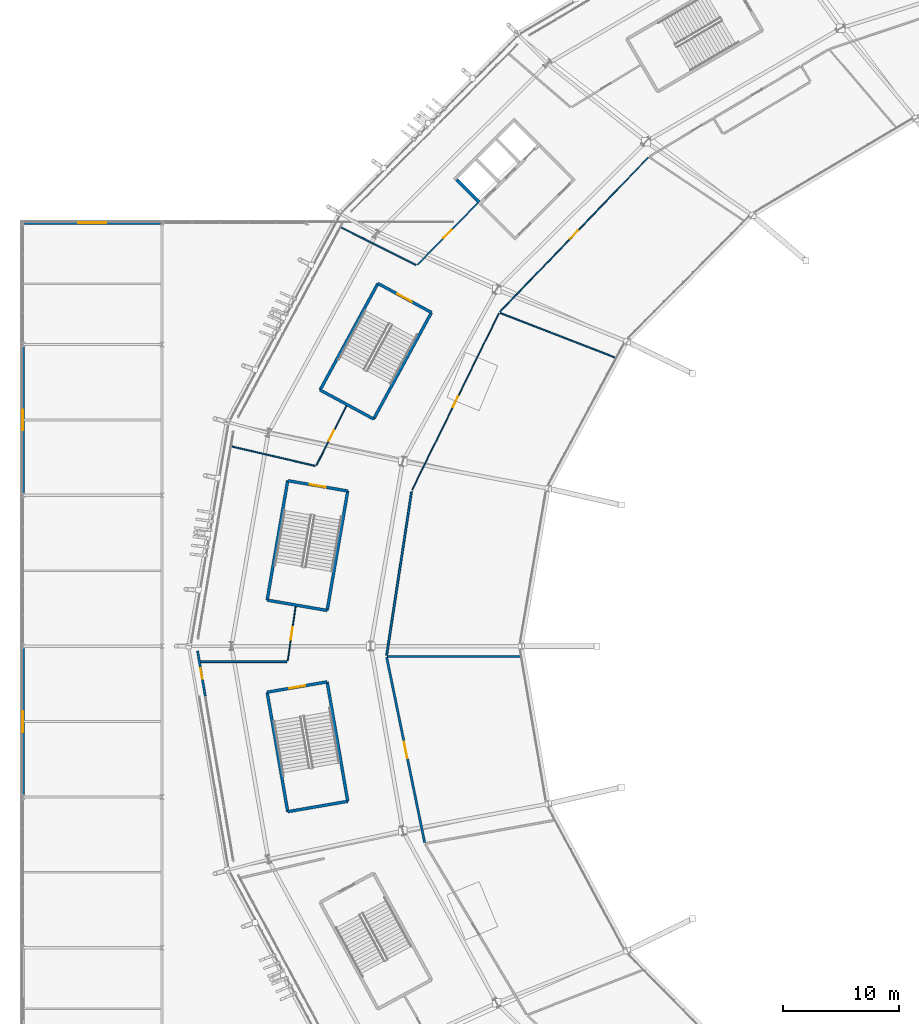
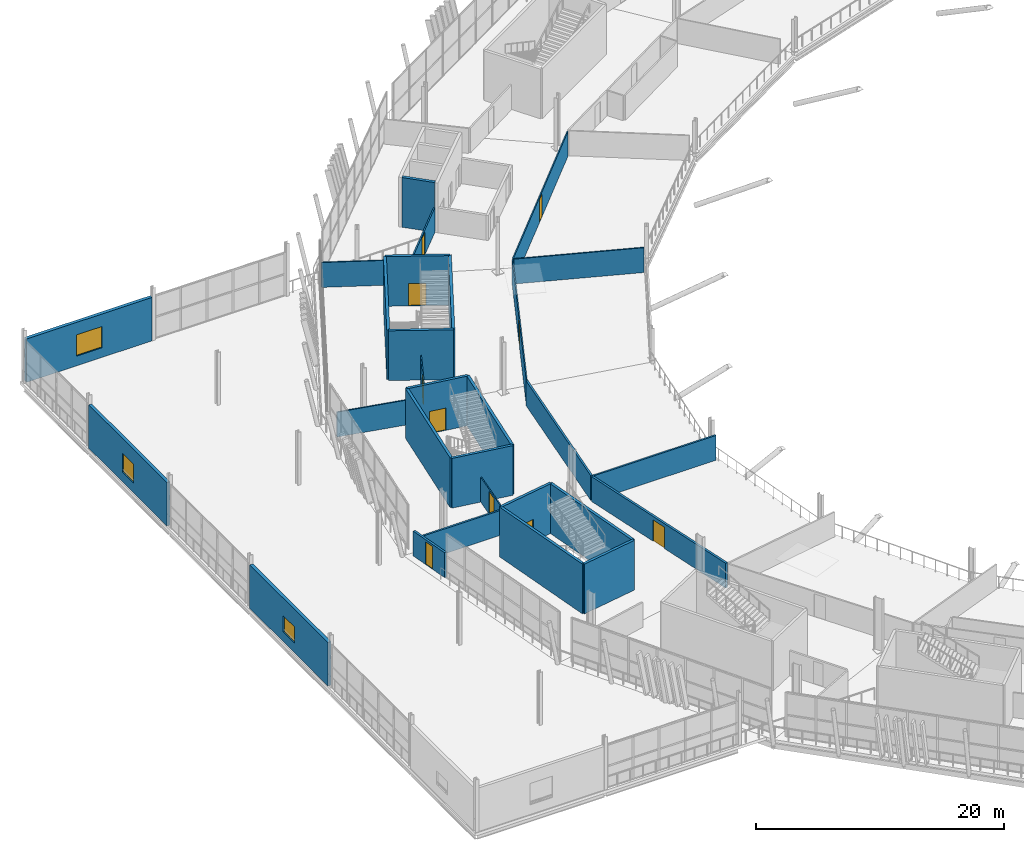
# One storey, part 119 of 168: 29 walls, 10 doors, 3 windows, 13 openings.
"""IFC4 building model written with IfcOpenShell, lengths in metres."""

import ifcopenshell
import ifcopenshell.guid

model = None  # the IFC model being written
_history = None  # IfcOwnerHistory: only IFC2X3 demands one
_inside = {}  # id of a spatial element -> (the spatial element, [elements in it])
_under = {}  # id of a project, library or spatial element -> (it, [spatial elements below it])
_declared = {}  # id of a project -> (the project, [libraries it declares])
_typed = {}  # id of a type object -> (the type object, [elements of that type])
_made_of = {}  # id of a material, layer set ... -> (it, [elements and type objects made of it])


def new_model(schema):
    """Start an empty IFC model of exactly this schema.

    Asked for "IFC4X3", IfcOpenShell would pick the latest addendum, in which some entities
    have other attributes; the version numbers below select the first issue.
    IFC2X3 requires an IfcOwnerHistory on every rooted entity: one is made here for all.
    """
    global model, _history
    if schema == "IFC4X3":
        model = ifcopenshell.file(schema_version=(4, 3, 0, 0))
    else:
        model = ifcopenshell.file(schema=schema)
    _inside.clear()
    _under.clear()
    _declared.clear()
    _typed.clear()
    _made_of.clear()
    _history = None
    if model.schema == "IFC2X3":
        org = make("IfcOrganization", Name="unknown")
        user = make(
            "IfcPersonAndOrganization",
            ThePerson=make("IfcPerson", FamilyName="unknown"),
            TheOrganization=org,
        )
        app = make(
            "IfcApplication",
            ApplicationDeveloper=org,
            Version="unknown",
            ApplicationFullName="unknown",
            ApplicationIdentifier="unknown",
        )
        _history = make(
            "IfcOwnerHistory",
            OwningUser=user,
            OwningApplication=app,
            ChangeAction="ADDED",
            CreationDate=0,
        )
    return model


def make(cls, **values):
    """One entity of the class cls with the attributes given. An attribute that is None is left unset."""
    return model.create_entity(
        cls, **{name: value for name, value in values.items() if value is not None}
    )


def rooted(cls, **values):
    """An entity with a GlobalId (a new one), such as an element, a storey or a relation."""
    return make(cls, GlobalId=ifcopenshell.guid.new(), OwnerHistory=_history, **values)


def si_unit(unit_type, name, prefix=None):
    """IfcSIUnit, for example si_unit("LENGTHUNIT", "METRE", prefix="MILLI")."""
    return make("IfcSIUnit", UnitType=unit_type, Prefix=prefix, Name=name)


def assignment(units):
    """IfcUnitAssignment: the units of a project."""
    return None if units is None else make("IfcUnitAssignment", Units=units)


def point(xyz):
    """IfcCartesianPoint."""
    return None if xyz is None else make("IfcCartesianPoint", Coordinates=xyz)


def direction(xyz):
    """IfcDirection."""
    return None if xyz is None else make("IfcDirection", DirectionRatios=xyz)


def frame(location, z_axis=None, x_axis=None):
    """IfcAxis2Placement3D, a coordinate frame: its origin and axes. An axis left out is left unset."""
    return make(
        "IfcAxis2Placement3D",
        Location=point(location),
        Axis=direction(z_axis),
        RefDirection=direction(x_axis),
    )


def frame_2d(location, x_axis=None):
    """IfcAxis2Placement2D, a coordinate frame in the plane: its origin and x axis."""
    return make(
        "IfcAxis2Placement2D", Location=point(location), RefDirection=direction(x_axis)
    )


def origin():
    """The frame at (0, 0, 0) with its axes left unset."""
    return frame((0.0, 0.0, 0.0))


def place(relative_to, where):
    """IfcLocalPlacement: puts the frame where relative to a parent placement (None: the world)."""
    return make(
        "IfcLocalPlacement", PlacementRelTo=relative_to, RelativePlacement=where
    )


def context(
    kind, dimensions, precision=None, world=None, true_north=None, identifier=None
):
    """IfcGeometricRepresentationContext, for example the 3D "Model" context."""
    return make(
        "IfcGeometricRepresentationContext",
        ContextIdentifier=identifier,
        ContextType=kind,
        CoordinateSpaceDimension=dimensions,
        Precision=precision,
        WorldCoordinateSystem=world,
        TrueNorth=true_north,
    )


def subcontext(parent, identifier, kind, view, scale=None):
    """IfcGeometricRepresentationSubContext, for example "Body" below "Model"."""
    return make(
        "IfcGeometricRepresentationSubContext",
        ContextIdentifier=identifier,
        ContextType=kind,
        ParentContext=parent,
        TargetScale=scale,
        TargetView=view,
    )


def project(units=None, contexts=None):
    """IfcProject with its units and contexts."""
    return rooted(
        "IfcProject",
        Name="project",
        RepresentationContexts=contexts,
        UnitsInContext=assignment(units),
    )


def spatial(cls, under=None, at=None, **own):
    """A site, building, storey or space (cls), placed at a placement, below another one or the project."""
    s = rooted(cls, ObjectPlacement=at, **own)
    if under is not None:
        _under.setdefault(under.id(), (under, []))[1].append(s)
    return s


def profile(cls, at=None, kind="AREA", **sizes):
    """A parametric profile (cls). Its sizes go by their IFC names, for example OverallWidth=200.0."""
    return make(cls, ProfileType=kind, Position=at, **sizes)


def rectangle(**sizes):
    """IfcRectangleProfileDef."""
    return profile("IfcRectangleProfileDef", **sizes)


def extrude(swept, where, along, depth):
    """IfcExtrudedAreaSolid: the profile swept, set in the frame where, extruded along a direction by depth."""
    return make(
        "IfcExtrudedAreaSolid",
        SweptArea=swept,
        Position=where,
        ExtrudedDirection=direction(along),
        Depth=depth,
    )


def shape(context_of_items, identifier, shape_type, items):
    """IfcShapeRepresentation: the items that make up one representation, for example the "Body"."""
    return make(
        "IfcShapeRepresentation",
        ContextOfItems=context_of_items,
        RepresentationIdentifier=identifier,
        RepresentationType=shape_type,
        Items=items,
    )


def material(Name=None, Category=None):
    """IfcMaterial."""
    return make("IfcMaterial", Name=Name, Category=Category)


def layer(
    of_material, thickness, ventilated=None, Name=None, Category=None, Priority=None
):
    """IfcMaterialLayer: one layer of a wall or slab, of a material (None: an air gap)."""
    return make(
        "IfcMaterialLayer",
        Material=of_material,
        LayerThickness=thickness,
        IsVentilated=ventilated,
        Name=Name,
        Category=Category,
        Priority=Priority,
    )


def layer_set(layers, Name=None):
    """IfcMaterialLayerSet."""
    return make("IfcMaterialLayerSet", MaterialLayers=layers, LayerSetName=Name)


def made_of(thing, what):
    """Note that an element or type object is made of a material, layer set ...; save() writes the relation."""
    if what is not None:
        _made_of.setdefault(what.id(), (what, []))[1].append(thing)
    return thing


def type_object(cls, material=None, **own):
    """A type object (cls), such as IfcWallType, which elements share."""
    return made_of(rooted(cls, **own), material)


def element(
    cls,
    number,
    at=None,
    inside=None,
    cuts=None,
    type_object=None,
    material=None,
    context=None,
    identifier="Body",
    shape_type=None,
    held_by="IfcProductDefinitionShape",
    body=None,
    shapes=None,
    **own,
):
    """One element of the class cls, such as IfcWall. Its Tag is "e" and its number.

    at: its placement. inside: the storey or other place that contains it. cuts: it is an
    opening in that element (IfcRelVoidsElement). A single representation is given by context,
    identifier, shape_type and body (its items); several are given by shapes. held_by: the class
    of the entity that holds the representations. save() writes the other relations.
    """
    e = rooted(cls, Tag="e%d" % number, ObjectPlacement=at, **own)
    if body is not None:
        shapes = [shape(context, identifier, shape_type, body)]
    if shapes is not None:
        e.Representation = make(held_by, Representations=shapes)
    if inside is not None:
        _inside.setdefault(inside.id(), (inside, []))[1].append(e)
    if cuts is not None:
        rooted(
            "IfcRelVoidsElement", RelatingBuildingElement=cuts, RelatedOpeningElement=e
        )
    if type_object is not None:
        _typed.setdefault(type_object.id(), (type_object, []))[1].append(e)
    return made_of(e, material)


def fill(opening, filler):
    """IfcRelFillsElement: the door or window that sits in an opening."""
    return rooted(
        "IfcRelFillsElement",
        RelatingOpeningElement=opening,
        RelatedBuildingElement=filler,
    )


def aggregate(whole, parts):
    """IfcRelAggregates: a whole, such as a stair, and the parts it consists of."""
    return rooted("IfcRelAggregates", RelatingObject=whole, RelatedObjects=parts)


def save(model, path):
    """Write the relations noted so far, then the file.

    IfcRelAggregates (storeys below a building ...), IfcRelContainedInSpatialStructure (elements
    in a storey), IfcRelDefinesByType, IfcRelAssociatesMaterial and IfcRelDeclares: one each for
    every whole, place, type object, material and project.
    """
    for whole, parts in _under.values():
        aggregate(whole, parts)
    for where, things in _inside.values():
        rooted(
            "IfcRelContainedInSpatialStructure",
            RelatedElements=things,
            RelatingStructure=where,
        )
    for kind, things in _typed.values():
        rooted("IfcRelDefinesByType", RelatedObjects=things, RelatingType=kind)
    for what, things in _made_of.values():
        rooted("IfcRelAssociatesMaterial", RelatedObjects=things, RelatingMaterial=what)
    for by, libraries in _declared.values():
        rooted("IfcRelDeclares", RelatingContext=by, RelatedDefinitions=libraries)
    model.write(path)


model = new_model("IFC4")

# Units and contexts
model_context = context("Model", 3, precision=1e-05, world=origin(), true_north=direction((0.0, 1.0)))
body_context = subcontext(model_context, "Body", "Model", "MODEL_VIEW")
ifc_project = project(units=[si_unit("LENGTHUNIT", "METRE"), si_unit("AREAUNIT", "SQUARE_METRE"), si_unit("VOLUMEUNIT", "CUBIC_METRE"), si_unit("PLANEANGLEUNIT", "RADIAN"), si_unit("MASSUNIT", "GRAM", prefix="KILO")], contexts=[model_context])

# Site, building, storey
site_placement = place(None, origin())
site = spatial("IfcSite", under=ifc_project, at=site_placement, CompositionType="ELEMENT")
building_placement = place(site_placement, origin())
building = spatial("IfcBuilding", under=site, at=building_placement, Name="Zlatoyarsky Gate Stadium", CompositionType="ELEMENT")
storey_placement = place(building_placement, frame((0.0, 0.0, 15.60009765625)))
storey = spatial("IfcBuildingStorey", under=building, at=storey_placement, Name="L03", CompositionType="ELEMENT", Elevation=15.60009765625)

# Walls
ifc_material_1 = material(Name="Double-stud acoustic gypsum partition", Category="gypsum")
ifc_layer_1 = layer(ifc_material_1, 0.169921875)
ifc_layer_set_1 = layer_set([ifc_layer_1], Name="Double-stud acoustic gypsum partition")
wall_type_1 = type_object("IfcWallType", Name="ACOUSTIC BROADCAST STUDIO WALL 170", PredefinedType="PARTITIONING", material=ifc_layer_set_1)
wall_1_placement = place(storey_placement, frame((33.5126953125, 93.30859375, 0.0), z_axis=(0.0, 0.0, 1.0), x_axis=(-0.150347507433, -0.988633211565, 0.0)))
element("IfcWall", 1, at=wall_1_placement, inside=storey, type_object=wall_type_1, Name="L03 interior partition PRT-L03-ICC-11M", PredefinedType="PARTITIONING", context=body_context, shape_type="SweptSolid", body=[
    extrude(rectangle(XDim=14.273681640625, YDim=0.169921875, at=frame_2d((7.13671875, 0.0))), origin(), (0.0, 0.0, 1.0), 2.449951171875),
])
wall_2_placement = place(storey_placement, frame((22.74462890625, 78.669677734375, 0.0), z_axis=(0.0, 0.0, 1.0), x_axis=(-0.999999997843, -6.5677131e-05, 0.0)))
element("IfcWall", 2, at=wall_2_placement, inside=storey, type_object=wall_type_1, Name="L03 interior partition PRT-L03-ORD-11R", PredefinedType="PARTITIONING", context=body_context, shape_type="SweptSolid", body=[
    extrude(rectangle(XDim=7.4345703125, YDim=0.169921875, at=frame_2d((3.71728515625, 0.0))), origin(), (0.0, 0.0, 1.0), 2.449951171875),
])
ifc_material_2 = material(Name="Anodised aluminium acoustic operable wall", Category="aluminium")
ifc_layer_2 = layer(ifc_material_2, 0.114990234375)
ifc_layer_set_2 = layer_set([ifc_layer_2], Name="Anodised aluminium acoustic operable wall")
wall_type_2 = type_object("IfcWallType", Name="ACOUSTIC OPERABLE SUITE WALL 115", PredefinedType="MOVABLE", material=ifc_layer_set_2)
wall_3_placement = place(storey_placement, frame((51.072021484375, 104.87255859375, 0.0), z_axis=(0.0, 0.0, 1.0), x_axis=(-0.932061072791, 0.36230119595, 0.0)))
element("IfcWall", 3, at=wall_3_placement, inside=storey, type_object=wall_type_2, Name="L03 interior partition PRT-L03-IRD-10", PredefinedType="MOVABLE", context=body_context, shape_type="SweptSolid", body=[
    extrude(rectangle(XDim=10.6396484375, YDim=0.114990234375, at=frame_2d((5.31982421875, 0.0))), origin(), (0.0, 0.0, 1.0), 2.449951171875),
])
wall_4_placement = place(storey_placement, frame((25.197509765625, 95.5419921875, 0.0), z_axis=(0.0, 0.0, 1.0), x_axis=(-0.973969408775, 0.22667948908, 0.0)))
element("IfcWall", 4, at=wall_4_placement, inside=storey, type_object=wall_type_2, Name="L03 interior partition PRT-L03-ORD-10R", PredefinedType="MOVABLE", context=body_context, shape_type="SweptSolid", body=[
    extrude(rectangle(XDim=7.36572265625, YDim=0.114990234375, at=frame_2d((3.682861328125, 0.0))), origin(), (0.0, 0.0, 1.0), 2.449951171875),
])

# Wall, opening, door
ifc_material_3 = material(Name="Gypsum-clad mineral wool fire partition", Category="gypsum")
ifc_layer_3 = layer(ifc_material_3, 0.199951171875)
ifc_layer_set_3 = layer_set([ifc_layer_3], Name="Gypsum-clad mineral wool fire partition")
wall_type_3 = type_object("IfcWallType", Name="COMPARTMENT FIRE PARTITION WALL 200", PredefinedType="PARTITIONING", material=ifc_layer_set_3)
wall_5_placement = place(storey_placement, frame((31.37109375, 79.030029296875, 0.0), z_axis=(0.0, 0.0, 1.0), x_axis=(0.200895858008, -0.979612604163, 0.0)))
wall_5 = element("IfcWall", 5, at=wall_5_placement, inside=storey, type_object=wall_type_3, Name="L03 interior partition PRT-L03-ICC-12", PredefinedType="PARTITIONING", context=body_context, shape_type="SweptSolid", body=[
    extrude(rectangle(XDim=16.2978515625, YDim=0.199951171875, at=frame_2d((8.14892578125, 0.0))), origin(), (0.0, 0.0, 1.0), 2.449951171875),
])
opening_1_placement = place(wall_5_placement, frame((7.428955078125, 0.0, 0.0)))
opening_1 = element("IfcOpeningElement", 6, at=opening_1_placement, cuts=wall_5, Name="Opening D-L03-422", PredefinedType="OPENING", context=body_context, shape_type="SweptSolid", body=[
    extrude(rectangle(XDim=1.43994140625, YDim=2.10009765625, at=frame_2d((0.719970703125, 1.050048828125))), frame((0.0, 0.10986328125, 0.0), z_axis=(0.0, -1.0, 0.0), x_axis=(1.0, 0.0, 0.0)), (0.0, 0.0, 1.0), 0.219970703125),
])
ifc_material_4 = material(Name="Powder-coated steel fire door", Category="steel")
door_type_1 = type_object("IfcDoorType", Name="ACOUSTIC INTERIOR DOOR 1440X2100", OperationType="NOTDEFINED", PredefinedType="DOOR", material=ifc_material_4)
door_1_placement = place(opening_1_placement, origin())
door_1 = element("IfcDoor", 7, at=door_1_placement, inside=storey, type_object=door_type_1, Name="L03 room door D-L03-422", OperationType="SINGLE_SWING_RIGHT", OverallHeight=2.10009765625, OverallWidth=1.43994140625, PredefinedType="DOOR", context=body_context, shape_type="SweptSolid", body=[
    extrude(rectangle(XDim=1.43994140625, YDim=2.10009765625, at=frame_2d((0.719970703125, 1.050048828125))), frame((0.0, 0.02490234375, 0.0), z_axis=(0.0, -1.0, 0.0), x_axis=(1.0, 0.0, 0.0)), (0.0, 0.0, 1.0), 0.050048828125),
])
fill(opening_1, door_1)

wall_6_placement = place(storey_placement, frame((15.06591796875, 79.600830078125, 0.0), z_axis=(0.0, 0.0, 1.0), x_axis=(0.16836659398, -0.985724449342, 0.0)))
wall_6 = element("IfcWall", 8, at=wall_6_placement, inside=storey, type_object=wall_type_3, Name="L03 interior partition PRT-PORTAL-L03-12", PredefinedType="PARTITIONING", context=body_context, shape_type="SweptSolid", body=[
    extrude(rectangle(XDim=3.960205078125, YDim=0.199951171875, at=frame_2d((1.97998046875, 0.0))), origin(), (0.0, 0.0, 1.0), 2.449951171875),
])
opening_2_placement = place(wall_6_placement, frame((1.530029296875, 0.0, 0.0)))
opening_2 = element("IfcOpeningElement", 9, at=opening_2_placement, cuts=wall_6, Name="Opening D-L03-719", PredefinedType="OPENING", context=body_context, shape_type="SweptSolid", body=[
    extrude(rectangle(XDim=0.89990234375, YDim=2.239990234375, at=frame_2d((0.449951171875, 1.1201171875))), frame((0.0, 0.10986328125, 0.0), z_axis=(0.0, -1.0, 0.0), x_axis=(1.0, 0.0, 0.0)), (0.0, 0.0, 1.0), 0.219970703125),
])
door_type_2 = type_object("IfcDoorType", Name="ACOUSTIC INTERIOR DOOR 900X2240", OperationType="NOTDEFINED", PredefinedType="DOOR", material=ifc_material_4)
door_2_placement = place(opening_2_placement, origin())
door_2 = element("IfcDoor", 10, at=door_2_placement, inside=storey, type_object=door_type_2, Name="L03 room door D-L03-719", OperationType="SINGLE_SWING_LEFT", OverallHeight=2.239990234375, OverallWidth=0.89990234375, PredefinedType="DOOR", context=body_context, shape_type="SweptSolid", body=[
    extrude(rectangle(XDim=0.89990234375, YDim=2.239990234375, at=frame_2d((0.449951171875, 1.1201171875))), frame((0.0, 0.02490234375, 0.0), z_axis=(0.0, -1.0, 0.0), x_axis=(1.0, 0.0, 0.0)), (0.0, 0.0, 1.0), 0.050048828125),
])
fill(opening_2, door_2)

# Wall
ifc_material_5 = material(Name="Concrete C40/50", Category="concrete")
ifc_layer_4 = layer(ifc_material_5, 0.27001953125)
ifc_layer_set_4 = layer_set([ifc_layer_4], Name="Concrete C40/50")
wall_type_4 = type_object("IfcWallType", Name="CONCRETE LIFT SHAFT SHEAR WALL 270", PredefinedType="SHEAR", material=ifc_layer_set_4)
wall_7_placement = place(storey_placement, frame((37.405029296875, 120.216796875, 0.0), z_axis=(0.0, 0.0, 1.0), x_axis=(0.705322518225, -0.708886553183, 0.0)))
element("IfcWall", 11, at=wall_7_placement, inside=storey, type_object=wall_type_4, Name="C2 L03 lift shaft right wall", PredefinedType="SHEAR", context=body_context, shape_type="SweptSolid", body=[
    extrude(rectangle(XDim=2.739990234375, YDim=0.27001953125, at=frame_2d((1.3701171875, 0.0))), origin(), (0.0, 0.0, 1.0), 4.89990234375),
])

# Wall, opening, door
ifc_layer_5 = layer(ifc_material_5, 0.25)
ifc_layer_set_5 = layer_set([ifc_layer_5], Name="Concrete C40/50")
wall_type_5 = type_object("IfcWallType", Name="CONCRETE STAIR CORE SHEAR WALL 250", PredefinedType="SHEAR", material=ifc_layer_set_5)
wall_8_placement = place(storey_placement, frame((35.229736328125, 108.764892578125, 0.0), z_axis=(0.0, 0.0, 1.0), x_axis=(-0.878941993928, 0.476928685769, 0.0)))
wall_8 = element("IfcWall", 12, at=wall_8_placement, inside=storey, type_object=wall_type_5, Name="ST-06 L03 stair core entrance shear wall", PredefinedType="SHEAR", context=body_context, shape_type="SweptSolid", body=[
    extrude(rectangle(XDim=5.25, YDim=0.25, at=frame_2d((2.625, 0.0))), origin(), (0.0, 0.0, 1.0), 4.89990234375),
])
opening_3_placement = place(wall_8_placement, frame((1.925048828125, 0.0, 0.0)))
opening_3 = element("IfcOpeningElement", 13, at=opening_3_placement, cuts=wall_8, Name="Opening SD-ST-06-L03", PredefinedType="OPENING", context=body_context, shape_type="SweptSolid", body=[
    extrude(rectangle(XDim=1.39990234375, YDim=2.199951171875, at=frame_2d((0.699951171875, 1.10009765625))), frame((0.0, 0.135009765625, 0.0), z_axis=(0.0, -1.0, 0.0), x_axis=(1.0, 0.0, 0.0)), (0.0, 0.0, 1.0), 0.27001953125),
])
door_type_3 = type_object("IfcDoorType", Name="STAIR CORE FIRE EXIT DOOR 1400X2200", OperationType="NOTDEFINED", PredefinedType="DOOR", material=ifc_material_4)
door_3_placement = place(opening_3_placement, frame((1.39990234375, 0.0, 0.0), z_axis=(0.0, 0.0, 1.0), x_axis=(-1.0, 0.0, 0.0)))
door_3 = element("IfcDoor", 14, at=door_3_placement, inside=storey, type_object=door_type_3, Name="ST-06 L03 stair fire door", OperationType="SINGLE_SWING_RIGHT", OverallHeight=2.199951171875, OverallWidth=1.39990234375, PredefinedType="DOOR", context=body_context, shape_type="SweptSolid", body=[
    extrude(rectangle(XDim=1.39990234375, YDim=2.199951171875, at=frame_2d((0.699951171875, 1.10009765625))), frame((0.0, 0.02490234375, 0.0), z_axis=(0.0, -1.0, 0.0), x_axis=(1.0, 0.0, 0.0)), (0.0, 0.0, 1.0), 0.050048828125),
])
fill(opening_3, door_3)

# Walls
wall_9_placement = place(storey_placement, frame((30.615234375, 111.268798828125, 0.0), z_axis=(0.0, 0.0, 1.0), x_axis=(-0.476876856974, -0.878970115125, 0.0)))
element("IfcWall", 15, at=wall_9_placement, inside=storey, type_object=wall_type_5, Name="ST-06 L03 stair core left shear wall", PredefinedType="SHEAR", context=body_context, shape_type="SweptSolid", body=[
    extrude(rectangle(XDim=10.4501953125, YDim=0.25, at=frame_2d((5.22509765625, 0.0))), origin(), (0.0, 0.0, 1.0), 4.89990234375),
])
wall_10_placement = place(storey_placement, frame((25.6318359375, 102.08349609375, 0.0), z_axis=(0.0, 0.0, 1.0), x_axis=(0.878961487093, -0.47689275965, 0.0)))
element("IfcWall", 16, at=wall_10_placement, inside=storey, type_object=wall_type_5, Name="ST-06 L03 stair core far shear wall", PredefinedType="SHEAR", context=body_context, shape_type="SweptSolid", body=[
    extrude(rectangle(XDim=5.25, YDim=0.25, at=frame_2d((2.625, 0.0))), origin(), (0.0, 0.0, 1.0), 4.89990234375),
])
wall_11_placement = place(storey_placement, frame((30.246337890625, 99.579833984375, 0.0), z_axis=(0.0, 0.0, 1.0), x_axis=(0.476886649814, 0.878964802042, 0.0)))
element("IfcWall", 17, at=wall_11_placement, inside=storey, type_object=wall_type_5, Name="ST-06 L03 stair core right shear wall", PredefinedType="SHEAR", context=body_context, shape_type="SweptSolid", body=[
    extrude(rectangle(XDim=10.449951171875, YDim=0.25, at=frame_2d((5.22509765625, 0.0))), origin(), (0.0, 0.0, 1.0), 4.89990234375),
])

# Wall, opening, door
wall_12_placement = place(storey_placement, frame((26.237548828125, 76.92333984375, 0.0), z_axis=(0.0, 0.0, 1.0), x_axis=(-0.985457162135, -0.16992404655, 0.0)))
wall_12 = element("IfcWall", 18, at=wall_12_placement, inside=storey, type_object=wall_type_5, Name="ST-07 L03 stair core entrance shear wall", PredefinedType="SHEAR", context=body_context, shape_type="SweptSolid", body=[
    extrude(rectangle(XDim=5.25, YDim=0.25, at=frame_2d((2.625, 0.0))), origin(), (0.0, 0.0, 1.0), 4.89990234375),
])
opening_4_placement = place(wall_12_placement, frame((1.925048828125, 0.0, 0.0)))
opening_4 = element("IfcOpeningElement", 19, at=opening_4_placement, cuts=wall_12, Name="Opening SD-ST-07-L03", PredefinedType="OPENING", context=body_context, shape_type="SweptSolid", body=[
    extrude(rectangle(XDim=1.39990234375, YDim=2.199951171875, at=frame_2d((0.699951171875, 1.10009765625))), frame((0.0, 0.135009765625, 0.0), z_axis=(0.0, -1.0, 0.0), x_axis=(1.0, 0.0, 0.0)), (0.0, 0.0, 1.0), 0.27001953125),
])
door_4_placement = place(opening_4_placement, frame((1.39990234375, 0.0, 0.0), z_axis=(0.0, 0.0, 1.0), x_axis=(-1.0, 0.0, 0.0)))
door_4 = element("IfcDoor", 20, at=door_4_placement, inside=storey, type_object=door_type_3, Name="ST-07 L03 stair fire door", OperationType="SINGLE_SWING_LEFT", OverallHeight=2.199951171875, OverallWidth=1.39990234375, PredefinedType="DOOR", context=body_context, shape_type="SweptSolid", body=[
    extrude(rectangle(XDim=1.39990234375, YDim=2.199951171875, at=frame_2d((0.699951171875, 1.10009765625))), frame((0.0, 0.02490234375, 0.0), z_axis=(0.0, -1.0, 0.0), x_axis=(1.0, 0.0, 0.0)), (0.0, 0.0, 1.0), 0.050048828125),
])
fill(opening_4, door_4)

# Walls
wall_13_placement = place(storey_placement, frame((21.06396484375, 76.03125, 0.0), z_axis=(0.0, 0.0, 1.0), x_axis=(0.169938992676, -0.985454584833, 0.0)))
element("IfcWall", 21, at=wall_13_placement, inside=storey, type_object=wall_type_5, Name="ST-07 L03 stair core left shear wall", PredefinedType="SHEAR", context=body_context, shape_type="SweptSolid", body=[
    extrude(rectangle(XDim=10.4501953125, YDim=0.25, at=frame_2d((5.22509765625, 0.0))), origin(), (0.0, 0.0, 1.0), 4.89990234375),
])
wall_14_placement = place(storey_placement, frame((22.83984375, 65.733154296875, 0.0), z_axis=(0.0, 0.0, 1.0), x_axis=(0.985457162135, 0.16992404655, 0.0)))
element("IfcWall", 22, at=wall_14_placement, inside=storey, type_object=wall_type_5, Name="ST-07 L03 stair core far shear wall", PredefinedType="SHEAR", context=body_context, shape_type="SweptSolid", body=[
    extrude(rectangle(XDim=5.25, YDim=0.25, at=frame_2d((2.625, 0.0))), origin(), (0.0, 0.0, 1.0), 4.89990234375),
])
wall_15_placement = place(storey_placement, frame((28.013427734375, 66.625244140625, 0.0), z_axis=(0.0, 0.0, 1.0), x_axis=(-0.169938992676, 0.985454584833, 0.0)))
element("IfcWall", 23, at=wall_15_placement, inside=storey, type_object=wall_type_5, Name="ST-07 L03 stair core right shear wall", PredefinedType="SHEAR", context=body_context, shape_type="SweptSolid", body=[
    extrude(rectangle(XDim=10.4501953125, YDim=0.25, at=frame_2d((5.22509765625, 0.0))), origin(), (0.0, 0.0, 1.0), 4.89990234375),
])

# Wall, opening, door
wall_16_placement = place(storey_placement, frame((28.01318359375, 93.374755859375, 0.0), z_axis=(0.0, 0.0, 1.0), x_axis=(-0.985457162135, 0.16992404655, 0.0)))
wall_16 = element("IfcWall", 24, at=wall_16_placement, inside=storey, type_object=wall_type_5, Name="ST-18 L03 stair core entrance shear wall", PredefinedType="SHEAR", context=body_context, shape_type="SweptSolid", body=[
    extrude(rectangle(XDim=5.25, YDim=0.25, at=frame_2d((2.625, 0.0))), origin(), (0.0, 0.0, 1.0), 4.89990234375),
])
opening_5_placement = place(wall_16_placement, frame((1.925048828125, 0.0, 0.0)))
opening_5 = element("IfcOpeningElement", 25, at=opening_5_placement, cuts=wall_16, Name="Opening SD-ST-18-L03", PredefinedType="OPENING", context=body_context, shape_type="SweptSolid", body=[
    extrude(rectangle(XDim=1.39990234375, YDim=2.199951171875, at=frame_2d((0.699951171875, 1.10009765625))), frame((0.0, 0.135009765625, 0.0), z_axis=(0.0, -1.0, 0.0), x_axis=(1.0, 0.0, 0.0)), (0.0, 0.0, 1.0), 0.27001953125),
])
door_5_placement = place(opening_5_placement, frame((1.39990234375, 0.0, 0.0), z_axis=(0.0, 0.0, 1.0), x_axis=(-1.0, 0.0, 0.0)))
door_5 = element("IfcDoor", 26, at=door_5_placement, inside=storey, type_object=door_type_3, Name="ST-18 L03 stair fire door", OperationType="SINGLE_SWING_LEFT", OverallHeight=2.199951171875, OverallWidth=1.39990234375, PredefinedType="DOOR", context=body_context, shape_type="SweptSolid", body=[
    extrude(rectangle(XDim=1.39990234375, YDim=2.199951171875, at=frame_2d((0.699951171875, 1.10009765625))), frame((0.0, 0.02490234375, 0.0), z_axis=(0.0, -1.0, 0.0), x_axis=(1.0, 0.0, 0.0)), (0.0, 0.0, 1.0), 0.050048828125),
])
fill(opening_5, door_5)

# Walls
wall_17_placement = place(storey_placement, frame((22.839599609375, 94.266845703125, 0.0), z_axis=(0.0, 0.0, 1.0), x_axis=(-0.169938992676, -0.985454584833, 0.0)))
element("IfcWall", 27, at=wall_17_placement, inside=storey, type_object=wall_type_5, Name="ST-18 L03 stair core left shear wall", PredefinedType="SHEAR", context=body_context, shape_type="SweptSolid", body=[
    extrude(rectangle(XDim=10.4501953125, YDim=0.25, at=frame_2d((5.22509765625, 0.0))), origin(), (0.0, 0.0, 1.0), 4.89990234375),
])
wall_18_placement = place(storey_placement, frame((21.063720703125, 83.96875, 0.0), z_axis=(0.0, 0.0, 1.0), x_axis=(0.985458504796, -0.169916259745, 0.0)))
element("IfcWall", 28, at=wall_18_placement, inside=storey, type_object=wall_type_5, Name="ST-18 L03 stair core far shear wall", PredefinedType="SHEAR", context=body_context, shape_type="SweptSolid", body=[
    extrude(rectangle(XDim=5.250244140625, YDim=0.25, at=frame_2d((2.625, 0.0))), origin(), (0.0, 0.0, 1.0), 4.89990234375),
])
wall_19_placement = place(storey_placement, frame((26.237548828125, 83.07666015625, 0.0), z_axis=(0.0, 0.0, 1.0), x_axis=(0.16991630471, 0.985458497043, 0.0)))
element("IfcWall", 29, at=wall_19_placement, inside=storey, type_object=wall_type_5, Name="ST-18 L03 stair core right shear wall", PredefinedType="SHEAR", context=body_context, shape_type="SweptSolid", body=[
    extrude(rectangle(XDim=10.449951171875, YDim=0.25, at=frame_2d((5.22509765625, 0.0))), origin(), (0.0, 0.0, 1.0), 4.89990234375),
])

# Wall, opening, door
ifc_material_6 = material(Name="Timber-veneered acoustic operable partition", Category="wood")
ifc_layer_6 = layer(ifc_material_6, 0.094970703125)
ifc_layer_set_6 = layer_set([ifc_layer_6], Name="Timber-veneered acoustic operable partition")
wall_type_6 = type_object("IfcWallType", Name="FOLDING BANQUET SALON WALL 95", PredefinedType="MOVABLE", material=ifc_layer_set_6)
wall_20_placement = place(storey_placement, frame((41.03857421875, 108.681884765625, 0.0), z_axis=(0.0, 0.0, 1.0), x_axis=(-0.44102112872, -0.897496720898, 0.0)))
wall_20 = element("IfcWall", 30, at=wall_20_placement, inside=storey, type_object=wall_type_6, Name="L03 interior partition PRT-L03-ICC-10", PredefinedType="MOVABLE", context=body_context, shape_type="SweptSolid", body=[
    extrude(rectangle(XDim=16.95068359375, YDim=0.094970703125, at=frame_2d((8.475341796875, 0.0))), origin(), (0.0, 0.0, 1.0), 2.449951171875),
])
opening_6_placement = place(wall_20_placement, frame((7.965087890625, 0.0, 0.0)))
opening_6 = element("IfcOpeningElement", 31, at=opening_6_placement, cuts=wall_20, Name="Opening D-L03-419", PredefinedType="OPENING", context=body_context, shape_type="SweptSolid", body=[
    extrude(rectangle(XDim=1.02001953125, YDim=2.10009765625, at=frame_2d((0.510009765625, 1.050048828125))), frame((0.0, 0.057373046875, 0.0), z_axis=(0.0, -1.0, 0.0), x_axis=(1.0, 0.0, 0.0)), (0.0, 0.0, 1.0), 0.114990234375),
])
ifc_material_7 = material(Name="Solid-core oak veneer acoustic door", Category="wood")
door_type_4 = type_object("IfcDoorType", Name="ACOUSTIC INTERIOR DOOR 1020X2100", OperationType="NOTDEFINED", PredefinedType="DOOR", material=ifc_material_7)
door_6_placement = place(opening_6_placement, origin())
door_6 = element("IfcDoor", 32, at=door_6_placement, inside=storey, type_object=door_type_4, Name="L03 room door D-L03-419", OperationType="SINGLE_SWING_LEFT", OverallHeight=2.10009765625, OverallWidth=1.02001953125, PredefinedType="DOOR", context=body_context, shape_type="SweptSolid", body=[
    extrude(rectangle(XDim=1.02001953125, YDim=2.10009765625, at=frame_2d((0.510009765625, 1.050048828125))), frame((0.0, 0.02490234375, 0.0), z_axis=(0.0, -1.0, 0.0), x_axis=(1.0, 0.0, 0.0)), (0.0, 0.0, 1.0), 0.050048828125),
])
fill(opening_6, door_6)

wall_21_placement = place(storey_placement, frame((23.51953125, 83.41357421875, 0.0), z_axis=(0.0, 0.0, 1.0), x_axis=(-0.14393246031, -0.989587513497, 0.0)))
wall_21 = element("IfcWall", 33, at=wall_21_placement, inside=storey, type_object=wall_type_6, Name="L03 interior partition PRT-L03-OCC-11-1", PredefinedType="MOVABLE", context=body_context, shape_type="SweptSolid", body=[
    extrude(rectangle(XDim=4.708740234375, YDim=0.094970703125, at=frame_2d((2.3544921875, 0.0))), origin(), (0.0, 0.0, 1.0), 2.449951171875),
])
opening_7_placement = place(wall_21_placement, frame((1.814453125, 0.0, 0.0)))
opening_7 = element("IfcOpeningElement", 34, at=opening_7_placement, cuts=wall_21, Name="Opening D-L03-469", PredefinedType="OPENING", context=body_context, shape_type="SweptSolid", body=[
    extrude(rectangle(XDim=1.080078125, YDim=2.239990234375, at=frame_2d((0.5400390625, 1.1201171875))), frame((0.0, 0.057373046875, 0.0), z_axis=(0.0, -1.0, 0.0), x_axis=(1.0, 0.0, 0.0)), (0.0, 0.0, 1.0), 0.114990234375),
])
door_type_5 = type_object("IfcDoorType", Name="ACOUSTIC INTERIOR DOOR 1080X2240", OperationType="NOTDEFINED", PredefinedType="DOOR", material=ifc_material_7)
door_7_placement = place(opening_7_placement, origin())
door_7 = element("IfcDoor", 35, at=door_7_placement, inside=storey, type_object=door_type_5, Name="L03 room door D-L03-469", OperationType="SINGLE_SWING_RIGHT", OverallHeight=2.239990234375, OverallWidth=1.080078125, PredefinedType="DOOR", context=body_context, shape_type="SweptSolid", body=[
    extrude(rectangle(XDim=1.080078125, YDim=2.239990234375, at=frame_2d((0.5400390625, 1.1201171875))), frame((0.0, 0.02490234375, 0.0), z_axis=(0.0, -1.0, 0.0), x_axis=(1.0, 0.0, 0.0)), (0.0, 0.0, 1.0), 0.050048828125),
])
fill(opening_7, door_7)

# Wall
ifc_material_8 = material(Name="Acoustic metal-stud gypsum partition", Category="gypsum")
ifc_layer_7 = layer(ifc_material_8, 0.159912109375)
ifc_layer_set_7 = layer_set([ifc_layer_7], Name="Acoustic metal-stud gypsum partition")
wall_type_7 = type_object("IfcWallType", Name="HOSPITALITY SUITE PARTITION 160", PredefinedType="PARTITIONING", material=ifc_layer_set_7)
wall_22_placement = place(storey_placement, frame((42.88623046875, 79.11279296875, 0.0), z_axis=(0.0, 0.0, 1.0), x_axis=(-0.99999999909, 4.2654837e-05, 0.0)))
element("IfcWall", 36, at=wall_22_placement, inside=storey, type_object=wall_type_7, Name="L03 interior partition PRT-L03-IRD-12", PredefinedType="PARTITIONING", context=body_context, shape_type="SweptSolid", body=[
    extrude(rectangle(XDim=11.447265625, YDim=0.159912109375, at=frame_2d((5.7236328125, 0.0))), origin(), (0.0, 0.0, 1.0), 2.449951171875),
])

# Wall, opening, window
ifc_material_9 = material(Name="Limestone-faced insulated masonry wall", Category="masonry")
ifc_layer_8 = layer(ifc_material_9, 0.300048828125)
ifc_layer_set_8 = layer_set([ifc_layer_8], Name="Limestone-faced insulated masonry wall")
wall_type_8 = type_object("IfcWallType", Name="INSULATED PAVILION FACADE WALL 300", PredefinedType="STANDARD", material=ifc_layer_set_8)
wall_23_placement = place(storey_placement, frame((0.0, 67.177001953125, 0.0), z_axis=(0.0, 0.0, 1.0), x_axis=(0.0, 1.0, 0.0)))
wall_23 = element("IfcWall", 37, at=wall_23_placement, inside=storey, type_object=wall_type_8, Name="V4_WEST L03 W_LO exterior wall", PredefinedType="STANDARD", context=body_context, shape_type="SweptSolid", body=[
    extrude(rectangle(XDim=12.64599609375, YDim=0.300048828125, at=frame_2d((6.322998046875, 0.0))), origin(), (0.0, 0.0, 1.0), 4.27978515625),
])
opening_8_placement = place(wall_23_placement, frame((5.423095703125, 0.0, 0.949951171875)))
opening_8 = element("IfcOpeningElement", 38, at=opening_8_placement, cuts=wall_23, Name="Opening WN-10", PredefinedType="OPENING", context=body_context, shape_type="SweptSolid", body=[
    extrude(rectangle(XDim=1.800048828125, YDim=1.60009765625, at=frame_2d((0.89990234375, 0.800048828125))), frame((0.0, 0.159912109375, 0.0), z_axis=(0.0, -1.0, 0.0), x_axis=(1.0, 0.0, 0.0)), (0.0, 0.0, 1.0), 0.320068359375),
])
ifc_material_10 = material(Name="Triple-glazed thermally broken aluminium window", Category="aluminium")
window_type_1 = type_object("IfcWindowType", Name="TRIPLE GLAZED ALUMINIUM WINDOW 1800X1600", PartitioningType="SINGLE_PANEL", PredefinedType="WINDOW", material=ifc_material_10)
window_1_placement = place(opening_8_placement, origin())
window_1 = element("IfcWindow", 39, at=window_1_placement, inside=storey, type_object=window_type_1, Name="Exterior window WIN-L03-038", OverallHeight=1.60009765625, OverallWidth=1.800048828125, PartitioningType="SINGLE_PANEL", PredefinedType="WINDOW", context=body_context, shape_type="SweptSolid", body=[
    extrude(rectangle(XDim=1.800048828125, YDim=1.60009765625, at=frame_2d((0.89990234375, 0.800048828125))), frame((0.0, 0.030029296875, 0.0), z_axis=(0.0, -1.0, 0.0), x_axis=(1.0, 0.0, 0.0)), (0.0, 0.0, 1.0), 0.06005859375),
])
fill(opening_8, window_1)

wall_24_placement = place(storey_placement, frame((0.14697265625, 116.5, 0.0), z_axis=(0.0, 0.0, 1.0), x_axis=(1.0, 0.0, 0.0)))
wall_24 = element("IfcWall", 40, at=wall_24_placement, inside=storey, type_object=wall_type_8, Name="V4_WEST L03 N exterior wall", PredefinedType="STANDARD", context=body_context, shape_type="SweptSolid", body=[
    extrude(rectangle(XDim=11.7060546875, YDim=0.300048828125, at=frame_2d((5.85302734375, 0.0))), origin(), (0.0, 0.0, 1.0), 4.27978515625),
])
opening_9_placement = place(wall_24_placement, frame((4.653076171875, 0.0, 0.949951171875)))
opening_9 = element("IfcOpeningElement", 41, at=opening_9_placement, cuts=wall_24, Name="Opening WN-20", PredefinedType="OPENING", context=body_context, shape_type="SweptSolid", body=[
    extrude(rectangle(XDim=2.39990234375, YDim=2.10009765625, at=frame_2d((1.199951171875, 1.050048828125))), frame((0.0, 0.159912109375, 0.0), z_axis=(0.0, -1.0, 0.0), x_axis=(1.0, 0.0, 0.0)), (0.0, 0.0, 1.0), 0.320068359375),
])
window_type_2 = type_object("IfcWindowType", Name="TRIPLE GLAZED ALUMINIUM WINDOW 2400X2100", PartitioningType="SINGLE_PANEL", PredefinedType="WINDOW", material=ifc_material_10)
window_2_placement = place(opening_9_placement, origin())
window_2 = element("IfcWindow", 42, at=window_2_placement, inside=storey, type_object=window_type_2, Name="Exterior window WIN-L03-048", OverallHeight=2.10009765625, OverallWidth=2.39990234375, PartitioningType="SINGLE_PANEL", PredefinedType="WINDOW", context=body_context, shape_type="SweptSolid", body=[
    extrude(rectangle(XDim=2.39990234375, YDim=2.10009765625, at=frame_2d((1.199951171875, 1.050048828125))), frame((0.0, 0.030029296875, 0.0), z_axis=(0.0, -1.0, 0.0), x_axis=(1.0, 0.0, 0.0)), (0.0, 0.0, 1.0), 0.06005859375),
])
fill(opening_9, window_2)

ifc_material_11 = material(Name="Precast concrete C40/50 architectural panel", Category="concrete")
ifc_layer_9 = layer(ifc_material_11, 0.280029296875)
ifc_layer_set_9 = layer_set([ifc_layer_9], Name="Precast concrete C40/50 architectural panel")
wall_type_9 = type_object("IfcWallType", Name="INSULATED WING SPANDREL WALL 280", PredefinedType="STANDARD", material=ifc_layer_set_9)
wall_25_placement = place(storey_placement, frame((0.0, 93.177001953125, 0.0), z_axis=(0.0, 0.0, 1.0), x_axis=(0.0, 1.0, 0.0)))
wall_25 = element("IfcWall", 43, at=wall_25_placement, inside=storey, type_object=wall_type_9, Name="V4_WEST L03 W_LO exterior wall", PredefinedType="STANDARD", context=body_context, shape_type="SweptSolid", body=[
    extrude(rectangle(XDim=12.64599609375, YDim=0.280029296875, at=frame_2d((6.322998046875, 0.0))), origin(), (0.0, 0.0, 1.0), 4.27978515625),
])
opening_10_placement = place(wall_25_placement, frame((5.423095703125, 0.0, 0.949951171875)))
opening_10 = element("IfcOpeningElement", 44, at=opening_10_placement, cuts=wall_25, Name="Opening WN-11", PredefinedType="OPENING", context=body_context, shape_type="SweptSolid", body=[
    extrude(rectangle(XDim=1.800048828125, YDim=1.85009765625, at=frame_2d((0.89990234375, 0.925048828125))), frame((0.0, 0.14990234375, 0.0), z_axis=(0.0, -1.0, 0.0), x_axis=(1.0, 0.0, 0.0)), (0.0, 0.0, 1.0), 0.300048828125),
])
window_type_3 = type_object("IfcWindowType", Name="TRIPLE GLAZED ALUMINIUM WINDOW 1800X1850", PartitioningType="SINGLE_PANEL", PredefinedType="WINDOW", material=ifc_material_10)
window_3_placement = place(opening_10_placement, origin())
window_3 = element("IfcWindow", 45, at=window_3_placement, inside=storey, type_object=window_type_3, Name="Exterior window WIN-L03-039", OverallHeight=1.85009765625, OverallWidth=1.800048828125, PartitioningType="SINGLE_PANEL", PredefinedType="WINDOW", context=body_context, shape_type="SweptSolid", body=[
    extrude(rectangle(XDim=1.800048828125, YDim=1.85009765625, at=frame_2d((0.89990234375, 0.925048828125))), frame((0.0, 0.030029296875, 0.0), z_axis=(0.0, -1.0, 0.0), x_axis=(1.0, 0.0, 0.0)), (0.0, 0.0, 1.0), 0.06005859375),
])
fill(opening_10, window_3)

# Wall
ifc_material_12 = material(Name="Metal-stud gypsum partition", Category="gypsum")
ifc_layer_10 = layer(ifc_material_12, 0.110107421875)
ifc_layer_set_10 = layer_set([ifc_layer_10], Name="Metal-stud gypsum partition")
wall_type_10 = type_object("IfcWallType", Name="KIOSK SERVICE PARTITION 110", PredefinedType="PARTITIONING", material=ifc_layer_set_10)
wall_26_placement = place(storey_placement, frame((33.889892578125, 112.859375, 0.0), z_axis=(0.0, 0.0, 1.0), x_axis=(-0.893930899787, 0.448204804087, 0.0)))
element("IfcWall", 46, at=wall_26_placement, inside=storey, type_object=wall_type_10, Name="L03 interior partition PRT-L03-ORD-09R", PredefinedType="PARTITIONING", context=body_context, shape_type="SweptSolid", body=[
    extrude(rectangle(XDim=7.190185546875, YDim=0.110107421875, at=frame_2d((3.59521484375, 0.0))), origin(), (0.0, 0.0, 1.0), 2.449951171875),
])

# Wall, opening, door
ifc_layer_11 = layer(ifc_material_12, 0.10009765625)
ifc_layer_set_11 = layer_set([ifc_layer_11], Name="Metal-stud gypsum partition")
wall_type_11 = type_object("IfcWallType", Name="LIGHT STORAGE PARTITION 100", PredefinedType="PARTITIONING", material=ifc_layer_set_11)
wall_27_placement = place(storey_placement, frame((53.909423828125, 122.121337890625, 0.0), z_axis=(0.0, 0.0, 1.0), x_axis=(-0.692658574837, -0.72126562285, 0.0)))
wall_27 = element("IfcWall", 47, at=wall_27_placement, inside=storey, type_object=wall_type_11, Name="L03 interior partition PRT-L03-ICC-09", PredefinedType="PARTITIONING", context=body_context, shape_type="SweptSolid", body=[
    extrude(rectangle(XDim=18.442626953125, YDim=0.10009765625, at=frame_2d((9.22119140625, 0.0))), origin(), (0.0, 0.0, 1.0), 2.449951171875),
])
opening_11_placement = place(wall_27_placement, frame((8.7412109375, 0.0, 0.0)))
opening_11 = element("IfcOpeningElement", 48, at=opening_11_placement, cuts=wall_27, Name="Opening D-L03-417", PredefinedType="OPENING", context=body_context, shape_type="SweptSolid", body=[
    extrude(rectangle(XDim=0.9599609375, YDim=2.239990234375, at=frame_2d((0.47998046875, 1.1201171875))), frame((0.0, 0.06005859375, 0.0), z_axis=(0.0, -1.0, 0.0), x_axis=(1.0, 0.0, 0.0)), (0.0, 0.0, 1.0), 0.1201171875),
])
door_type_6 = type_object("IfcDoorType", Name="ACOUSTIC INTERIOR DOOR 960X2240", OperationType="NOTDEFINED", PredefinedType="DOOR", material=ifc_material_7)
door_8_placement = place(opening_11_placement, origin())
door_8 = element("IfcDoor", 49, at=door_8_placement, inside=storey, type_object=door_type_6, Name="L03 room door D-L03-417", OperationType="SINGLE_SWING_RIGHT", OverallHeight=2.239990234375, OverallWidth=0.9599609375, PredefinedType="DOOR", context=body_context, shape_type="SweptSolid", body=[
    extrude(rectangle(XDim=0.9599609375, YDim=2.239990234375, at=frame_2d((0.47998046875, 1.1201171875))), frame((0.0, 0.02490234375, 0.0), z_axis=(0.0, -1.0, 0.0), x_axis=(1.0, 0.0, 0.0)), (0.0, 0.0, 1.0), 0.050048828125),
])
fill(opening_11, door_8)

wall_28_placement = place(storey_placement, frame((27.88623046875, 100.71240234375, 0.0), z_axis=(0.0, 0.0, 1.0), x_axis=(-0.448731906193, -0.893666423429, 0.0)))
wall_28 = element("IfcWall", 50, at=wall_28_placement, inside=storey, type_object=wall_type_11, Name="L03 interior partition PRT-L03-OCC-10-1", PredefinedType="PARTITIONING", context=body_context, shape_type="SweptSolid", body=[
    extrude(rectangle(XDim=5.721923828125, YDim=0.10009765625, at=frame_2d((2.86083984375, 0.0))), origin(), (0.0, 0.0, 1.0), 2.449951171875),
])
opening_12_placement = place(wall_28_placement, frame((2.35107421875, 0.0, 0.0)))
opening_12 = element("IfcOpeningElement", 51, at=opening_12_placement, cuts=wall_28, Name="Opening D-L03-467", PredefinedType="OPENING", context=body_context, shape_type="SweptSolid", body=[
    extrude(rectangle(XDim=1.02001953125, YDim=2.10009765625, at=frame_2d((0.510009765625, 1.050048828125))), frame((0.0, 0.06005859375, 0.0), z_axis=(0.0, -1.0, 0.0), x_axis=(1.0, 0.0, 0.0)), (0.0, 0.0, 1.0), 0.1201171875),
])
door_9_placement = place(opening_12_placement, origin())
door_9 = element("IfcDoor", 52, at=door_9_placement, inside=storey, type_object=door_type_4, Name="L03 room door D-L03-467", OperationType="SINGLE_SWING_LEFT", OverallHeight=2.10009765625, OverallWidth=1.02001953125, PredefinedType="DOOR", context=body_context, shape_type="SweptSolid", body=[
    extrude(rectangle(XDim=1.02001953125, YDim=2.10009765625, at=frame_2d((0.510009765625, 1.050048828125))), frame((0.0, 0.02490234375, 0.0), z_axis=(0.0, -1.0, 0.0), x_axis=(1.0, 0.0, 0.0)), (0.0, 0.0, 1.0), 0.050048828125),
])
fill(opening_12, door_9)

ifc_layer_12 = layer(ifc_material_12, 0.1201171875)
ifc_layer_set_12 = layer_set([ifc_layer_12], Name="Metal-stud gypsum partition")
wall_type_12 = type_object("IfcWallType", Name="OFFICE AND PRESS PARTITION 120", PredefinedType="PARTITIONING", material=ifc_layer_set_12)
wall_29_placement = place(storey_placement, frame((39.21630859375, 118.197998046875, 0.0), z_axis=(0.0, 0.0, 1.0), x_axis=(-0.698644879178, -0.715468610631, 0.0)))
wall_29 = element("IfcWall", 53, at=wall_29_placement, inside=storey, type_object=wall_type_12, Name="L03 interior partition PRT-L03-OCC-09-1", PredefinedType="PARTITIONING", context=body_context, shape_type="SweptSolid", body=[
    extrude(rectangle(XDim=7.429931640625, YDim=0.1201171875, at=frame_2d((3.71484375, 0.0))), origin(), (0.0, 0.0, 1.0), 2.449951171875),
])
opening_13_placement = place(wall_29_placement, frame((3.23486328125, 0.0, 0.0)))
opening_13 = element("IfcOpeningElement", 54, at=opening_13_placement, cuts=wall_29, Name="Opening D-L03-465", PredefinedType="OPENING", context=body_context, shape_type="SweptSolid", body=[
    extrude(rectangle(XDim=0.9599609375, YDim=2.239990234375, at=frame_2d((0.47998046875, 1.1201171875))), frame((0.0, 0.070068359375, 0.0), z_axis=(0.0, -1.0, 0.0), x_axis=(1.0, 0.0, 0.0)), (0.0, 0.0, 1.0), 0.14013671875),
])
door_10_placement = place(opening_13_placement, origin())
door_10 = element("IfcDoor", 55, at=door_10_placement, inside=storey, type_object=door_type_6, Name="L03 room door D-L03-465", OperationType="SINGLE_SWING_RIGHT", OverallHeight=2.239990234375, OverallWidth=0.9599609375, PredefinedType="DOOR", context=body_context, shape_type="SweptSolid", body=[
    extrude(rectangle(XDim=0.9599609375, YDim=2.239990234375, at=frame_2d((0.47998046875, 1.1201171875))), frame((0.0, 0.02490234375, 0.0), z_axis=(0.0, -1.0, 0.0), x_axis=(1.0, 0.0, 0.0)), (0.0, 0.0, 1.0), 0.050048828125),
])
fill(opening_13, door_10)

save(model, "model.ifc")
